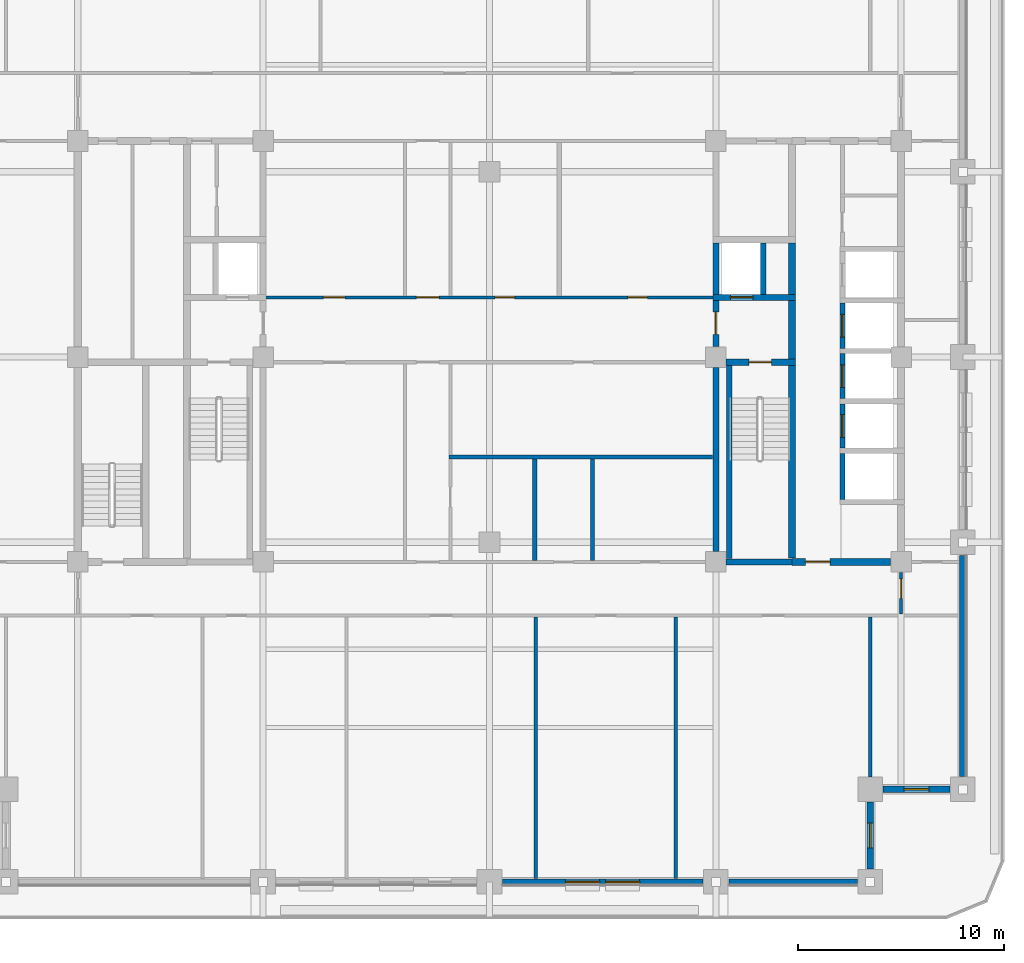
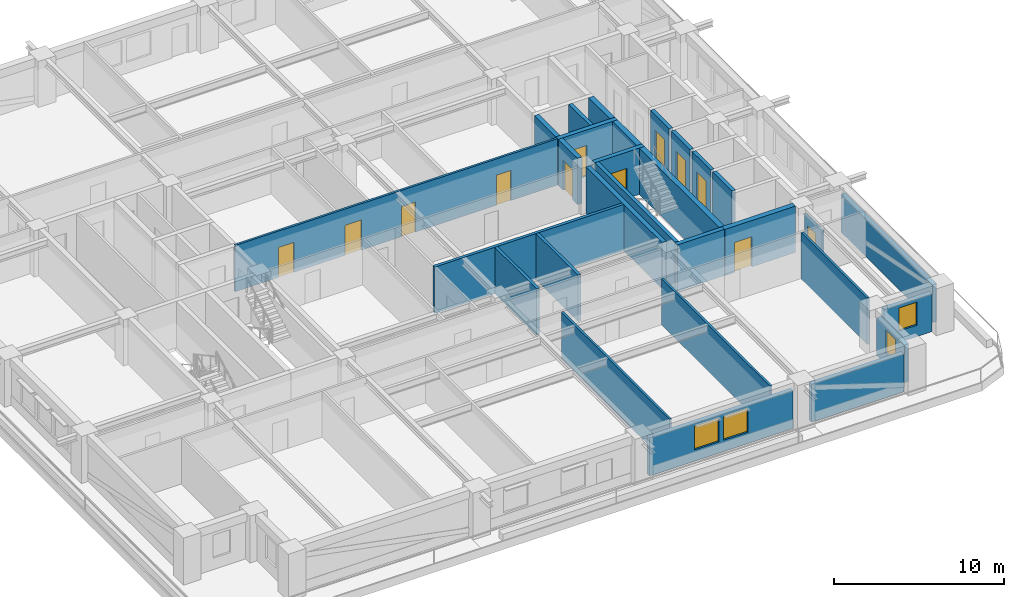
# One storey, part 4 of 16: 29 walls, 12 doors, 4 windows, 16 openings.
"""IFC4 building model written with IfcOpenShell, lengths in metres."""

from ifc_helpers import new_model, si_unit, direction, frame, frame_2d, origin, place, context, subcontext, project, spatial, rectangle, extrude, material, layer, layer_set, type_object, element, fill, save


model = new_model("IFC4")

# Units and contexts
model_context = context("Model", 3, precision=1e-05, world=origin(), true_north=direction((0.0, 1.0)))
body_context = subcontext(model_context, "Body", "Model", "MODEL_VIEW")
ifc_project = project(units=[si_unit("LENGTHUNIT", "METRE"), si_unit("AREAUNIT", "SQUARE_METRE"), si_unit("VOLUMEUNIT", "CUBIC_METRE"), si_unit("PLANEANGLEUNIT", "RADIAN"), si_unit("MASSUNIT", "GRAM", prefix="KILO")], contexts=[model_context])

# Site, building, storey
site_placement = place(None, origin())
site = spatial("IfcSite", under=ifc_project, at=site_placement, CompositionType="ELEMENT")
building_placement = place(site_placement, origin())
building = spatial("IfcBuilding", under=site, at=building_placement, Name="Zulmaris Gate Convention Tower", CompositionType="ELEMENT")
storey_placement = place(building_placement, frame((0.0, 0.0, 124.919921875)))
storey = spatial("IfcBuildingStorey", under=building, at=storey_placement, Name="L31", CompositionType="ELEMENT", Elevation=124.919921875)

# Walls
ifc_material_1 = material(Name="Concrete C50/60", Category="concrete")
ifc_layer_1 = layer(ifc_material_1, 0.25, Name="Concrete C50/60")
ifc_layer_set_1 = layer_set([ifc_layer_1], Name="Concrete C50/60")
wall_type_1 = type_object("IfcWallType", Name="CORE-250", PredefinedType="SOLIDWALL", material=ifc_layer_set_1)
wall_1_placement = place(storey_placement, frame((11.64990234375, -9.798095703125, 0.0), z_axis=(0.0, 0.0, 1.0), x_axis=(0.0, 1.0, 0.0)))
element("IfcWall", 1, at=wall_1_placement, inside=storey, type_object=wall_type_1, Name="WL-L31-051", PredefinedType="SOLIDWALL", context=body_context, shape_type="SweptSolid", body=[
    extrude(rectangle(XDim=9.39599609375, YDim=0.25, at=frame_2d((4.697998046875, 0.0))), origin(), (0.0, 0.0, 1.0), 3.31982421875),
])
wall_2_placement = place(storey_placement, frame((13.300048828125, 3.052001953125, 0.0), z_axis=(0.0, 0.0, 1.0), x_axis=(0.0, 1.0, 0.0)))
element("IfcWall", 2, at=wall_2_placement, inside=storey, type_object=wall_type_1, Name="WL-L31-052", PredefinedType="SOLIDWALL", context=body_context, shape_type="SweptSolid", body=[
    extrude(rectangle(XDim=2.49609375, YDim=0.25, at=frame_2d((1.248046875, 0.0))), origin(), (0.0, 0.0, 1.0), 3.31982421875),
])
wall_3_placement = place(storey_placement, frame((17.14990234375, -6.923095703125, 0.0), z_axis=(0.0, 0.0, 1.0), x_axis=(0.0, 1.0, 0.0)))
element("IfcWall", 3, at=wall_3_placement, inside=storey, type_object=wall_type_1, Name="WL-L31-057", PredefinedType="SOLIDWALL", context=body_context, shape_type="SweptSolid", body=[
    extrude(rectangle(XDim=2.24609375, YDim=0.25, at=frame_2d((1.123046875, 0.0))), origin(), (0.0, 0.0, 1.0), 3.31982421875),
])

# Wall, opening, door
wall_4_placement = place(storey_placement, frame((17.14990234375, -4.423095703125, 0.0), z_axis=(0.0, 0.0, 1.0), x_axis=(0.0, 1.0, 0.0)))
wall_4 = element("IfcWall", 4, at=wall_4_placement, inside=storey, type_object=wall_type_1, Name="WL-L31-058", PredefinedType="SOLIDWALL", context=body_context, shape_type="SweptSolid", body=[
    extrude(rectangle(XDim=2.14599609375, YDim=0.25, at=frame_2d((1.072998046875, 0.0))), origin(), (0.0, 0.0, 1.0), 3.31982421875),
])
opening_1_placement = place(wall_4_placement, frame((0.52294921875, 0.0, 0.0)))
opening_1 = element("IfcOpeningElement", 5, at=opening_1_placement, cuts=wall_4, Name="Opening D-06", PredefinedType="OPENING", context=body_context, shape_type="SweptSolid", body=[
    extrude(rectangle(XDim=1.10009765625, YDim=2.199951171875, at=frame_2d((0.550048828125, 1.10009765625))), frame((0.0, 0.135009765625, 0.0), z_axis=(0.0, -1.0, 0.0), x_axis=(1.0, 0.0, 0.0)), (0.0, 0.0, 1.0), 0.27001953125),
])
ifc_material_2 = material(Name="Brushed Stainless Steel", Category="steel")
door_type_1 = type_object("IfcDoorType", Name="LD-1100", OperationType="NOTDEFINED", PredefinedType="DOOR", material=ifc_material_2)
door_1_placement = place(opening_1_placement, origin())
door_1 = element("IfcDoor", 6, at=door_1_placement, inside=storey, type_object=door_type_1, Name="L31 Lift Landing Door MP-01 13", OperationType="SLIDING_TO_RIGHT", OverallHeight=2.199951171875, OverallWidth=1.10009765625, PredefinedType="DOOR", context=body_context, shape_type="SweptSolid", body=[
    extrude(rectangle(XDim=1.10009765625, YDim=2.199951171875, at=frame_2d((0.550048828125, 1.10009765625))), frame((0.0, 0.02490234375, 0.0), z_axis=(0.0, -1.0, 0.0), x_axis=(1.0, 0.0, 0.0)), (0.0, 0.0, 1.0), 0.050048828125),
])
fill(opening_1, door_1)

wall_5_placement = place(storey_placement, frame((17.14990234375, -2.02294921875, 0.0), z_axis=(0.0, 0.0, 1.0), x_axis=(0.0, 1.0, 0.0)))
wall_5 = element("IfcWall", 7, at=wall_5_placement, inside=storey, type_object=wall_type_1, Name="WL-L31-059", PredefinedType="SOLIDWALL", context=body_context, shape_type="SweptSolid", body=[
    extrude(rectangle(XDim=2.196044921875, YDim=0.25, at=frame_2d((1.09814453125, 0.0))), origin(), (0.0, 0.0, 1.0), 3.31982421875),
])
opening_2_placement = place(wall_5_placement, frame((0.548095703125, 0.0, 0.0)))
opening_2 = element("IfcOpeningElement", 8, at=opening_2_placement, cuts=wall_5, Name="Opening D-06", PredefinedType="OPENING", context=body_context, shape_type="SweptSolid", body=[
    extrude(rectangle(XDim=1.10009765625, YDim=2.199951171875, at=frame_2d((0.550048828125, 1.10009765625))), frame((0.0, 0.135009765625, 0.0), z_axis=(0.0, -1.0, 0.0), x_axis=(1.0, 0.0, 0.0)), (0.0, 0.0, 1.0), 0.27001953125),
])
door_2_placement = place(opening_2_placement, origin())
door_2 = element("IfcDoor", 9, at=door_2_placement, inside=storey, type_object=door_type_1, Name="L31 Lift Landing Door MP-02 14", OperationType="SLIDING_TO_RIGHT", OverallHeight=2.199951171875, OverallWidth=1.10009765625, PredefinedType="DOOR", context=body_context, shape_type="SweptSolid", body=[
    extrude(rectangle(XDim=1.10009765625, YDim=2.199951171875, at=frame_2d((0.550048828125, 1.10009765625))), frame((0.0, 0.02490234375, 0.0), z_axis=(0.0, -1.0, 0.0), x_axis=(1.0, 0.0, 0.0)), (0.0, 0.0, 1.0), 0.050048828125),
])
fill(opening_2, door_2)

wall_6_placement = place(storey_placement, frame((17.14990234375, 0.427001953125, 0.0), z_axis=(0.0, 0.0, 1.0), x_axis=(0.0, 1.0, 0.0)))
wall_6 = element("IfcWall", 10, at=wall_6_placement, inside=storey, type_object=wall_type_1, Name="WL-L31-060", PredefinedType="SOLIDWALL", context=body_context, shape_type="SweptSolid", body=[
    extrude(rectangle(XDim=2.196044921875, YDim=0.25, at=frame_2d((1.09814453125, 0.0))), origin(), (0.0, 0.0, 1.0), 3.31982421875),
])
opening_3_placement = place(wall_6_placement, frame((0.548095703125, 0.0, 0.0)))
opening_3 = element("IfcOpeningElement", 11, at=opening_3_placement, cuts=wall_6, Name="Opening D-06", PredefinedType="OPENING", context=body_context, shape_type="SweptSolid", body=[
    extrude(rectangle(XDim=1.10009765625, YDim=2.199951171875, at=frame_2d((0.550048828125, 1.10009765625))), frame((0.0, 0.135009765625, 0.0), z_axis=(0.0, -1.0, 0.0), x_axis=(1.0, 0.0, 0.0)), (0.0, 0.0, 1.0), 0.27001953125),
])
door_3_placement = place(opening_3_placement, origin())
door_3 = element("IfcDoor", 12, at=door_3_placement, inside=storey, type_object=door_type_1, Name="L31 Lift Landing Door MP-03 15", OperationType="SLIDING_TO_RIGHT", OverallHeight=2.199951171875, OverallWidth=1.10009765625, PredefinedType="DOOR", context=body_context, shape_type="SweptSolid", body=[
    extrude(rectangle(XDim=1.10009765625, YDim=2.199951171875, at=frame_2d((0.550048828125, 1.10009765625))), frame((0.0, 0.02490234375, 0.0), z_axis=(0.0, -1.0, 0.0), x_axis=(1.0, 0.0, 0.0)), (0.0, 0.0, 1.0), 0.050048828125),
])
fill(opening_3, door_3)

# Wall
ifc_layer_2 = layer(ifc_material_1, 0.300048828125, Name="Concrete C50/60")
ifc_layer_set_2 = layer_set([ifc_layer_2], Name="Concrete C50/60")
wall_type_2 = type_object("IfcWallType", Name="CORE-300", PredefinedType="SHEAR", material=ifc_layer_set_2)
wall_7_placement = place(storey_placement, frame((11.50390625, -9.949951171875, 0.0), z_axis=(0.0, 0.0, 1.0), x_axis=(1.0, 0.0, 0.0)))
element("IfcWall", 13, at=wall_7_placement, inside=storey, type_object=wall_type_2, Name="WL-L31-003", PredefinedType="SHEAR", context=body_context, shape_type="SweptSolid", body=[
    extrude(rectangle(XDim=3.196044921875, YDim=0.300048828125, at=frame_2d((1.59814453125, 0.0))), origin(), (0.0, 0.0, 1.0), 3.31982421875),
])

# Wall, opening, door
wall_8_placement = place(storey_placement, frame((11.50390625, -0.25, 0.0), z_axis=(0.0, 0.0, 1.0), x_axis=(1.0, 0.0, 0.0)))
wall_8 = element("IfcWall", 14, at=wall_8_placement, inside=storey, type_object=wall_type_2, Name="WL-L31-009", PredefinedType="SHEAR", context=body_context, shape_type="SweptSolid", body=[
    extrude(rectangle(XDim=3.37109375, YDim=0.300048828125, at=frame_2d((1.685546875, 0.0))), origin(), (0.0, 0.0, 1.0), 3.31982421875),
])
opening_4_placement = place(wall_8_placement, frame((1.095947265625, 0.0, 0.0)))
opening_4 = element("IfcOpeningElement", 15, at=opening_4_placement, cuts=wall_8, Name="Opening D-08", PredefinedType="OPENING", context=body_context, shape_type="SweptSolid", body=[
    extrude(rectangle(XDim=1.10009765625, YDim=2.14990234375, at=frame_2d((0.550048828125, 1.074951171875))), frame((0.0, 0.16015625, 0.0), z_axis=(0.0, -1.0, 0.0), x_axis=(1.0, 0.0, 0.0)), (0.0, 0.0, 1.0), 0.320068359375),
])
ifc_material_3 = material(Name="Fire-Rated Steel", Category="steel")
door_type_2 = type_object("IfcDoorType", Name="DR-1100-FD", OperationType="NOTDEFINED", PredefinedType="DOOR", material=ifc_material_3)
door_4_placement = place(opening_4_placement, origin())
door_4 = element("IfcDoor", 16, at=door_4_placement, inside=storey, type_object=door_type_2, Name="L31 Exit Stair ST-2 Door 04", OperationType="SINGLE_SWING_LEFT", OverallHeight=2.14990234375, OverallWidth=1.10009765625, PredefinedType="DOOR", context=body_context, shape_type="SweptSolid", body=[
    extrude(rectangle(XDim=1.10009765625, YDim=2.14990234375, at=frame_2d((0.550048828125, 1.074951171875))), frame((0.0, 0.02490234375, 0.0), z_axis=(0.0, -1.0, 0.0), x_axis=(1.0, 0.0, 0.0)), (0.0, 0.0, 1.0), 0.050048828125),
])
fill(opening_4, door_4)

wall_9_placement = place(storey_placement, frame((10.85009765625, 2.89990234375, 0.0), z_axis=(0.0, 0.0, 1.0), x_axis=(1.0, 0.0, 0.0)))
wall_9 = element("IfcWall", 17, at=wall_9_placement, inside=storey, type_object=wall_type_2, Name="WL-L31-013", PredefinedType="SHEAR", context=body_context, shape_type="SweptSolid", body=[
    extrude(rectangle(XDim=4.02490234375, YDim=0.300048828125, at=frame_2d((2.012451171875, 0.0))), origin(), (0.0, 0.0, 1.0), 3.31982421875),
])
opening_5_placement = place(wall_9_placement, frame((0.85009765625, 0.0, 0.0)))
opening_5 = element("IfcOpeningElement", 18, at=opening_5_placement, cuts=wall_9, Name="Opening D-06", PredefinedType="OPENING", context=body_context, shape_type="SweptSolid", body=[
    extrude(rectangle(XDim=1.10009765625, YDim=2.199951171875, at=frame_2d((0.550048828125, 1.10009765625))), frame((0.0, 0.16015625, 0.0), z_axis=(0.0, -1.0, 0.0), x_axis=(1.0, 0.0, 0.0)), (0.0, 0.0, 1.0), 0.320068359375),
])
door_5_placement = place(opening_5_placement, origin())
door_5 = element("IfcDoor", 19, at=door_5_placement, inside=storey, type_object=door_type_1, Name="L31 Lift Landing Door LF-02 06", OperationType="SLIDING_TO_RIGHT", OverallHeight=2.199951171875, OverallWidth=1.10009765625, PredefinedType="DOOR", context=body_context, shape_type="SweptSolid", body=[
    extrude(rectangle(XDim=1.10009765625, YDim=2.199951171875, at=frame_2d((0.550048828125, 1.10009765625))), frame((0.0, 0.02490234375, 0.0), z_axis=(0.0, -1.0, 0.0), x_axis=(1.0, 0.0, 0.0)), (0.0, 0.0, 1.0), 0.050048828125),
])
fill(opening_5, door_5)

# Wall
wall_10_placement = place(storey_placement, frame((11.0, -9.446044921875, 0.0), z_axis=(0.0, 0.0, 1.0), x_axis=(0.0, 1.0, 0.0)))
element("IfcWall", 20, at=wall_10_placement, inside=storey, type_object=wall_type_2, Name="WL-L31-047", PredefinedType="SHEAR", context=body_context, shape_type="SweptSolid", body=[
    extrude(rectangle(XDim=8.942138671875, YDim=0.300048828125, at=frame_2d((4.47119140625, 0.0))), origin(), (0.0, 0.0, 1.0), 3.31982421875),
])

# Wall, opening, door
wall_11_placement = place(storey_placement, frame((11.0, 0.50390625, 0.0), z_axis=(0.0, 0.0, 1.0), x_axis=(0.0, 1.0, 0.0)))
wall_11 = element("IfcWall", 21, at=wall_11_placement, inside=storey, type_object=wall_type_2, Name="WL-L31-048", PredefinedType="SHEAR", context=body_context, shape_type="SweptSolid", body=[
    extrude(rectangle(XDim=2.244140625, YDim=0.300048828125, at=frame_2d((1.1220703125, 0.0))), origin(), (0.0, 0.0, 1.0), 3.31982421875),
])
opening_6_placement = place(wall_11_placement, frame((0.595947265625, 0.0, 0.0)))
opening_6 = element("IfcOpeningElement", 22, at=opening_6_placement, cuts=wall_11, Name="Opening D-08", PredefinedType="OPENING", context=body_context, shape_type="SweptSolid", body=[
    extrude(rectangle(XDim=1.10009765625, YDim=2.14990234375, at=frame_2d((0.550048828125, 1.074951171875))), frame((0.0, 0.16015625, 0.0), z_axis=(0.0, -1.0, 0.0), x_axis=(1.0, 0.0, 0.0)), (0.0, 0.0, 1.0), 0.320068359375),
])
door_6_placement = place(opening_6_placement, origin())
door_6 = element("IfcDoor", 23, at=door_6_placement, inside=storey, type_object=door_type_2, Name="L31 East Firefighting Lobby Door 05", OperationType="SINGLE_SWING_RIGHT", OverallHeight=2.14990234375, OverallWidth=1.10009765625, PredefinedType="DOOR", context=body_context, shape_type="SweptSolid", body=[
    extrude(rectangle(XDim=1.10009765625, YDim=2.14990234375, at=frame_2d((0.550048828125, 1.074951171875))), frame((0.0, 0.02490234375, 0.0), z_axis=(0.0, -1.0, 0.0), x_axis=(1.0, 0.0, 0.0)), (0.0, 0.0, 1.0), 0.050048828125),
])
fill(opening_6, door_6)

# Wall
wall_12_placement = place(storey_placement, frame((11.0, 3.052001953125, 0.0), z_axis=(0.0, 0.0, 1.0), x_axis=(0.0, 1.0, 0.0)))
element("IfcWall", 24, at=wall_12_placement, inside=storey, type_object=wall_type_2, Name="WL-L31-049", PredefinedType="SHEAR", context=body_context, shape_type="SweptSolid", body=[
    extrude(rectangle(XDim=2.49609375, YDim=0.300048828125, at=frame_2d((1.248046875, 0.0))), origin(), (0.0, 0.0, 1.0), 3.31982421875),
])

# Wall, opening, door
ifc_material_4 = material(Name="Concrete C55/67", Category="concrete")
ifc_layer_3 = layer(ifc_material_4, 0.35009765625, Name="Concrete C55/67")
ifc_layer_set_3 = layer_set([ifc_layer_3], Name="Concrete C55/67")
wall_type_3 = type_object("IfcWallType", Name="CORE-350", PredefinedType="SHEAR", material=ifc_layer_set_3)
wall_13_placement = place(storey_placement, frame((14.699951171875, -9.949951171875, 0.0), z_axis=(0.0, 0.0, 1.0), x_axis=(1.0, 0.0, 0.0)))
wall_13 = element("IfcWall", 25, at=wall_13_placement, inside=storey, type_object=wall_type_3, Name="WL-L31-004", PredefinedType="SHEAR", context=body_context, shape_type="SweptSolid", body=[
    extrude(rectangle(XDim=4.796142578125, YDim=0.35009765625, at=frame_2d((2.39794921875, 0.0))), origin(), (0.0, 0.0, 1.0), 3.31982421875),
])
opening_7_placement = place(wall_13_placement, frame((0.64990234375, 0.0, 0.0)))
opening_7 = element("IfcOpeningElement", 26, at=opening_7_placement, cuts=wall_13, Name="Opening D-13", PredefinedType="OPENING", context=body_context, shape_type="SweptSolid", body=[
    extrude(rectangle(XDim=1.199951171875, YDim=2.14990234375, at=frame_2d((0.60009765625, 1.074951171875))), frame((0.0, 0.18505859375, 0.0), z_axis=(0.0, -1.0, 0.0), x_axis=(1.0, 0.0, 0.0)), (0.0, 0.0, 1.0), 0.3701171875),
])
door_type_3 = type_object("IfcDoorType", Name="DR-1200-FD", OperationType="NOTDEFINED", PredefinedType="DOOR", material=ifc_material_3)
door_7_placement = place(opening_7_placement, origin())
door_7 = element("IfcDoor", 27, at=door_7_placement, inside=storey, type_object=door_type_3, Name="L31 East Lift Lobby South Door 17", OperationType="SINGLE_SWING_LEFT", OverallHeight=2.14990234375, OverallWidth=1.199951171875, PredefinedType="DOOR", context=body_context, shape_type="SweptSolid", body=[
    extrude(rectangle(XDim=1.199951171875, YDim=2.14990234375, at=frame_2d((0.60009765625, 1.074951171875))), frame((0.0, 0.02490234375, 0.0), z_axis=(0.0, -1.0, 0.0), x_axis=(1.0, 0.0, 0.0)), (0.0, 0.0, 1.0), 0.050048828125),
])
fill(opening_7, door_7)

# Walls
wall_14_placement = place(storey_placement, frame((14.699951171875, -9.77294921875, 0.0), z_axis=(0.0, 0.0, 1.0), x_axis=(0.0, 1.0, 0.0)))
element("IfcWall", 28, at=wall_14_placement, inside=storey, type_object=wall_type_3, Name="WL-L31-053", PredefinedType="SHEAR", context=body_context, shape_type="SweptSolid", body=[
    extrude(rectangle(XDim=9.370849609375, YDim=0.35009765625, at=frame_2d((4.685546875, 0.0))), origin(), (0.0, 0.0, 1.0), 3.31982421875),
])
wall_15_placement = place(storey_placement, frame((14.699951171875, -0.097900390625, 0.0), z_axis=(0.0, 0.0, 1.0), x_axis=(0.0, 1.0, 0.0)))
element("IfcWall", 29, at=wall_15_placement, inside=storey, type_object=wall_type_3, Name="WL-L31-054", PredefinedType="SHEAR", context=body_context, shape_type="SweptSolid", body=[
    extrude(rectangle(XDim=2.845947265625, YDim=0.35009765625, at=frame_2d((1.4228515625, 0.0))), origin(), (0.0, 0.0, 1.0), 3.31982421875),
])
wall_16_placement = place(storey_placement, frame((14.699951171875, 3.052001953125, 0.0), z_axis=(0.0, 0.0, 1.0), x_axis=(0.0, 1.0, 0.0)))
element("IfcWall", 30, at=wall_16_placement, inside=storey, type_object=wall_type_3, Name="WL-L31-055", PredefinedType="SHEAR", context=body_context, shape_type="SweptSolid", body=[
    extrude(rectangle(XDim=2.49609375, YDim=0.35009765625, at=frame_2d((1.248046875, 0.0))), origin(), (0.0, 0.0, 1.0), 3.31982421875),
])

# Wall, openings, doors
ifc_material_5 = material(Name="Gypsum Metal Stud Partition")
ifc_layer_4 = layer(ifc_material_5, 0.14990234375, Name="Gypsum Metal Stud Partition")
ifc_layer_set_4 = layer_set([ifc_layer_4], Name="Gypsum Metal Stud Partition")
wall_type_4 = type_object("IfcWallType", Name="PART-150", PredefinedType="PARTITIONING", material=ifc_layer_set_4)
wall_17_placement = place(storey_placement, frame((-11.0, 2.89990234375, 0.0), z_axis=(0.0, 0.0, 1.0), x_axis=(1.0, 0.0, 0.0)))
wall_17 = element("IfcWall", 31, at=wall_17_placement, inside=storey, type_object=wall_type_4, Name="WL-L31-028", PredefinedType="PARTITIONING", context=body_context, shape_type="SweptSolid", body=[
    extrude(rectangle(XDim=22.0, YDim=0.14990234375, at=frame_2d((11.0, 0.0))), origin(), (0.0, 0.0, 1.0), 3.31982421875),
])
opening_8_placement = place(wall_17_placement, frame((7.449951171875, 0.0, 0.0)))
opening_8 = element("IfcOpeningElement", 32, at=opening_8_placement, cuts=wall_17, Name="Opening D-08", PredefinedType="OPENING", context=body_context, shape_type="SweptSolid", body=[
    extrude(rectangle(XDim=1.10009765625, YDim=2.14990234375, at=frame_2d((0.550048828125, 1.074951171875))), frame((0.0, 0.0849609375, 0.0), z_axis=(0.0, -1.0, 0.0), x_axis=(1.0, 0.0, 0.0)), (0.0, 0.0, 1.0), 0.169921875),
])
opening_9_placement = place(wall_17_placement, frame((2.925048828125, 0.0, 0.0)))
opening_9 = element("IfcOpeningElement", 33, at=opening_9_placement, cuts=wall_17, Name="Opening D-09", PredefinedType="OPENING", context=body_context, shape_type="SweptSolid", body=[
    extrude(rectangle(XDim=1.050048828125, YDim=2.14990234375, at=frame_2d((0.52490234375, 1.074951171875))), frame((0.0, 0.0849609375, 0.0), z_axis=(0.0, -1.0, 0.0), x_axis=(1.0, 0.0, 0.0)), (0.0, 0.0, 1.0), 0.169921875),
])
opening_10_placement = place(wall_17_placement, frame((11.27490234375, 0.0, 0.0)))
opening_10 = element("IfcOpeningElement", 34, at=opening_10_placement, cuts=wall_17, Name="Opening D-11", PredefinedType="OPENING", context=body_context, shape_type="SweptSolid", body=[
    extrude(rectangle(XDim=0.949951171875, YDim=2.14990234375, at=frame_2d((0.47509765625, 1.074951171875))), frame((0.0, 0.0849609375, 0.0), z_axis=(0.0, -1.0, 0.0), x_axis=(1.0, 0.0, 0.0)), (0.0, 0.0, 1.0), 0.169921875),
])
opening_11_placement = place(wall_17_placement, frame((17.72509765625, 0.0, 0.0)))
opening_11 = element("IfcOpeningElement", 35, at=opening_11_placement, cuts=wall_17, Name="Opening D-11", PredefinedType="OPENING", context=body_context, shape_type="SweptSolid", body=[
    extrude(rectangle(XDim=0.949951171875, YDim=2.14990234375, at=frame_2d((0.47509765625, 1.074951171875))), frame((0.0, 0.0849609375, 0.0), z_axis=(0.0, -1.0, 0.0), x_axis=(1.0, 0.0, 0.0)), (0.0, 0.0, 1.0), 0.169921875),
])
door_type_4 = type_object("IfcDoorType", Name="DR-1050-FD", OperationType="NOTDEFINED", PredefinedType="DOOR", material=ifc_material_3)
door_8_placement = place(opening_9_placement, origin())
door_8 = element("IfcDoor", 36, at=door_8_placement, inside=storey, type_object=door_type_4, Name="L31 Reception Door 33", OperationType="SINGLE_SWING_LEFT", OverallHeight=2.14990234375, OverallWidth=1.050048828125, PredefinedType="DOOR", context=body_context, shape_type="SweptSolid", body=[
    extrude(rectangle(XDim=1.050048828125, YDim=2.14990234375, at=frame_2d((0.52490234375, 1.074951171875))), frame((0.0, 0.02490234375, 0.0), z_axis=(0.0, -1.0, 0.0), x_axis=(1.0, 0.0, 0.0)), (0.0, 0.0, 1.0), 0.050048828125),
])
fill(opening_9, door_8)
door_9_placement = place(opening_8_placement, origin())
door_9 = element("IfcDoor", 37, at=door_9_placement, inside=storey, type_object=door_type_2, Name="L31 Cross Spine North Door 23", OperationType="SINGLE_SWING_LEFT", OverallHeight=2.14990234375, OverallWidth=1.10009765625, PredefinedType="DOOR", context=body_context, shape_type="SweptSolid", body=[
    extrude(rectangle(XDim=1.10009765625, YDim=2.14990234375, at=frame_2d((0.550048828125, 1.074951171875))), frame((0.0, 0.02490234375, 0.0), z_axis=(0.0, -1.0, 0.0), x_axis=(1.0, 0.0, 0.0)), (0.0, 0.0, 1.0), 0.050048828125),
])
fill(opening_8, door_9)
ifc_material_6 = material(Name="Fire-Rated Timber", Category="wood")
door_type_5 = type_object("IfcDoorType", Name="DR-950-FD", OperationType="NOTDEFINED", PredefinedType="DOOR", material=ifc_material_6)
door_10_placement = place(opening_10_placement, origin())
door_10 = element("IfcDoor", 38, at=door_10_placement, inside=storey, type_object=door_type_5, Name="L31 Briefing Door 34", OperationType="SINGLE_SWING_RIGHT", OverallHeight=2.14990234375, OverallWidth=0.949951171875, PredefinedType="DOOR", context=body_context, shape_type="SweptSolid", body=[
    extrude(rectangle(XDim=0.949951171875, YDim=2.14990234375, at=frame_2d((0.47509765625, 1.074951171875))), frame((0.0, 0.02490234375, 0.0), z_axis=(0.0, -1.0, 0.0), x_axis=(1.0, 0.0, 0.0)), (0.0, 0.0, 1.0), 0.050048828125),
])
fill(opening_10, door_10)
door_11_placement = place(opening_11_placement, origin())
door_11 = element("IfcDoor", 39, at=door_11_placement, inside=storey, type_object=door_type_5, Name="L31 Dining Pantry Door 35", OperationType="SINGLE_SWING_LEFT", OverallHeight=2.14990234375, OverallWidth=0.949951171875, PredefinedType="DOOR", context=body_context, shape_type="SweptSolid", body=[
    extrude(rectangle(XDim=0.949951171875, YDim=2.14990234375, at=frame_2d((0.47509765625, 1.074951171875))), frame((0.0, 0.02490234375, 0.0), z_axis=(0.0, -1.0, 0.0), x_axis=(1.0, 0.0, 0.0)), (0.0, 0.0, 1.0), 0.050048828125),
])
fill(opening_11, door_11)

# Walls
for number, where, z_axis, x_axis, name in (
    (40, (2.25, -25.3349609375, 0.0), (0.0, 0.0, 1.0), (0.0, 1.0, 0.0), "WL-L31-084"),
    (41, (9.050048828125, -25.3349609375, 0.0), (0.0, 0.0, 1.0), (0.0, 1.0, 0.0), "WL-L31-088"),
):
    element("IfcWall", number, at=place(storey_placement, frame(where, z_axis=z_axis, x_axis=x_axis)), inside=storey, type_object=wall_type_4, Name=name, PredefinedType="PARTITIONING", context=body_context, shape_type="SweptSolid", body=[
        extrude(rectangle(XDim=12.70703125, YDim=0.14990234375, at=frame_2d((6.353515625, 0.0))), origin(), (0.0, 0.0, 1.0), 3.31982421875),
    ])
wall_18_placement = place(storey_placement, frame((18.5, -20.39404296875, 0.0), z_axis=(0.0, 0.0, 1.0), x_axis=(0.0, 1.0, 0.0)))
element("IfcWall", 42, at=wall_18_placement, inside=storey, type_object=wall_type_4, Name="WL-L31-091", PredefinedType="PARTITIONING", context=body_context, shape_type="SweptSolid", body=[
    extrude(rectangle(XDim=7.76611328125, YDim=0.14990234375, at=frame_2d((3.883056640625, 0.0))), origin(), (0.0, 0.0, 1.0), 3.31982421875),
])

# Wall, opening, door
wall_19_placement = place(storey_placement, frame((20.0, -12.471923828125, 0.0), z_axis=(0.0, 0.0, 1.0), x_axis=(0.0, 1.0, 0.0)))
wall_19 = element("IfcWall", 43, at=wall_19_placement, inside=storey, type_object=wall_type_4, Name="WL-L31-093", PredefinedType="PARTITIONING", context=body_context, shape_type="SweptSolid", body=[
    extrude(rectangle(XDim=2.015869140625, YDim=0.14990234375, at=frame_2d((1.0078125, 0.0))), origin(), (0.0, 0.0, 1.0), 2.809814453125),
])
opening_12_placement = place(wall_19_placement, frame((0.7470703125, 0.0, 0.0)))
opening_12 = element("IfcOpeningElement", 44, at=opening_12_placement, cuts=wall_19, Name="Opening D-11", PredefinedType="OPENING", context=body_context, shape_type="SweptSolid", body=[
    extrude(rectangle(XDim=0.949951171875, YDim=2.14990234375, at=frame_2d((0.47509765625, 1.074951171875))), frame((0.0, 0.0849609375, 0.0), z_axis=(0.0, -1.0, 0.0), x_axis=(1.0, 0.0, 0.0)), (0.0, 0.0, 1.0), 0.169921875),
])
door_12_placement = place(opening_12_placement, origin())
door_12 = element("IfcDoor", 45, at=door_12_placement, inside=storey, type_object=door_type_5, Name="L31 SE Spur Door 46", OperationType="SINGLE_SWING_RIGHT", OverallHeight=2.14990234375, OverallWidth=0.949951171875, PredefinedType="DOOR", context=body_context, shape_type="SweptSolid", body=[
    extrude(rectangle(XDim=0.949951171875, YDim=2.14990234375, at=frame_2d((0.47509765625, 1.074951171875))), frame((0.0, 0.02490234375, 0.0), z_axis=(0.0, -1.0, 0.0), x_axis=(1.0, 0.0, 0.0)), (0.0, 0.0, 1.0), 0.050048828125),
])
fill(opening_12, door_12)

# Walls
ifc_material_7 = material(Name="Autoclaved Aerated Concrete Block and Plasterboard", Category="concrete")
ifc_layer_5 = layer(ifc_material_7, 0.199951171875, Name="Autoclaved Aerated Concrete Block and Plasterboard")
ifc_layer_set_5 = layer_set([ifc_layer_5], Name="Autoclaved Aerated Concrete Block and Plasterboard")
wall_type_5 = type_object("IfcWallType", Name="PART-200", PredefinedType="PARTITIONING", material=ifc_layer_set_5)
wall_20_placement = place(storey_placement, frame((-1.97509765625, -4.85009765625, 0.0), z_axis=(0.0, 0.0, 1.0), x_axis=(1.0, 0.0, 0.0)))
element("IfcWall", 46, at=wall_20_placement, inside=storey, type_object=wall_type_5, Name="WL-L31-025", PredefinedType="PARTITIONING", context=body_context, shape_type="SweptSolid", body=[
    extrude(rectangle(XDim=12.822021484375, YDim=0.199951171875, at=frame_2d((6.4111328125, 0.0))), origin(), (0.0, 0.0, 1.0), 3.31982421875),
])
for number, where, z_axis, x_axis, name in (
    (47, (2.199951171875, -9.8720703125, 0.0), (0.0, 0.0, 1.0), (0.0, 1.0, 0.0), "WL-L31-083"),
    (48, (5.0, -9.8720703125, 0.0), (0.0, 0.0, 1.0), (0.0, 1.0, 0.0), "WL-L31-087"),
):
    element("IfcWall", number, at=place(storey_placement, frame(where, z_axis=z_axis, x_axis=x_axis)), inside=storey, type_object=wall_type_5, Name=name, PredefinedType="PARTITIONING", context=body_context, shape_type="SweptSolid", body=[
        extrude(rectangle(XDim=4.919189453125, YDim=0.199951171875, at=frame_2d((2.45947265625, 0.0))), origin(), (0.0, 0.0, 1.0), 3.31982421875),
    ])

# Wall, opening, window
ifc_material_8 = material(Name="Precast concrete C40/50", Category="concrete")
ifc_layer_6 = layer(ifc_material_8, 0.300048828125, Name="Precast concrete C40/50")
ifc_layer_set_6 = layer_set([ifc_layer_6], Name="Precast concrete C40/50")
wall_type_6 = type_object("IfcWallType", Name="PRECAST-PIER-300", PredefinedType="STANDARD", material=ifc_layer_set_6)
wall_21_placement = place(storey_placement, frame((18.5, -24.8701171875, 0.0), z_axis=(0.0, 0.0, 1.0), x_axis=(0.0, 1.0, 0.0)))
wall_21 = element("IfcWall", 49, at=wall_21_placement, inside=storey, type_object=wall_type_6, Name="EW-L31-NOTCH-SE1_0", PredefinedType="STANDARD", context=body_context, shape_type="SweptSolid", body=[
    extrude(rectangle(XDim=3.240234375, YDim=0.300048828125, at=frame_2d((1.6201171875, 0.0))), origin(), (0.0, 0.0, 1.0), 2.711669921875),
])
opening_13_placement = place(wall_21_placement, frame((1.02001953125, 0.0, 0.820068359375)))
opening_13 = element("IfcOpeningElement", 50, at=opening_13_placement, cuts=wall_21, Name="Opening W-04", PredefinedType="OPENING", context=body_context, shape_type="SweptSolid", body=[
    extrude(rectangle(XDim=1.199951171875, YDim=1.64990234375, at=frame_2d((0.60009765625, 0.824951171875))), frame((0.0, 0.16015625, 0.0), z_axis=(0.0, -1.0, 0.0), x_axis=(1.0, 0.0, 0.0)), (0.0, 0.0, 1.0), 0.320068359375),
])
ifc_material_9 = material(Name="Low-E Laminated Double Glazing in Aluminium Frame", Category="aluminium")
window_type_1 = type_object("IfcWindowType", Name="WIN-1200x2100", PartitioningType="SINGLE_PANEL", PredefinedType="WINDOW", material=ifc_material_9)
window_1_placement = place(opening_13_placement, origin())
window_1 = element("IfcWindow", 51, at=window_1_placement, inside=storey, type_object=window_type_1, Name="WN-EW-L31-NOTCH-SE1_0", OverallHeight=1.64990234375, OverallWidth=1.199951171875, PartitioningType="SINGLE_PANEL", PredefinedType="WINDOW", context=body_context, shape_type="SweptSolid", body=[
    extrude(rectangle(XDim=1.199951171875, YDim=1.64990234375, at=frame_2d((0.60009765625, 0.824951171875))), frame((0.0, 0.030029296875, 0.0), z_axis=(0.0, -1.0, 0.0), x_axis=(1.0, 0.0, 0.0)), (0.0, 0.0, 1.0), 0.06005859375),
])
fill(opening_13, window_1)

wall_22_placement = place(storey_placement, frame((19.1298828125, -21.0, 0.0), z_axis=(0.0, 0.0, 1.0), x_axis=(1.0, 0.0, 0.0)))
wall_22 = element("IfcWall", 52, at=wall_22_placement, inside=storey, type_object=wall_type_6, Name="EW-L31-NOTCH-SE2_0", PredefinedType="STANDARD", context=body_context, shape_type="SweptSolid", body=[
    extrude(rectangle(XDim=3.240234375, YDim=0.300048828125, at=frame_2d((1.6201171875, 0.0))), origin(), (0.0, 0.0, 1.0), 2.711669921875),
])
opening_14_placement = place(wall_22_placement, frame((1.02001953125, 0.0, 0.820068359375)))
opening_14 = element("IfcOpeningElement", 53, at=opening_14_placement, cuts=wall_22, Name="Opening W-04", PredefinedType="OPENING", context=body_context, shape_type="SweptSolid", body=[
    extrude(rectangle(XDim=1.199951171875, YDim=1.64990234375, at=frame_2d((0.60009765625, 0.824951171875))), frame((0.0, 0.16015625, 0.0), z_axis=(0.0, -1.0, 0.0), x_axis=(1.0, 0.0, 0.0)), (0.0, 0.0, 1.0), 0.320068359375),
])
window_2_placement = place(opening_14_placement, origin())
window_2 = element("IfcWindow", 54, at=window_2_placement, inside=storey, type_object=window_type_1, Name="WN-EW-L31-NOTCH-SE2_0", OverallHeight=1.64990234375, OverallWidth=1.199951171875, PartitioningType="SINGLE_PANEL", PredefinedType="WINDOW", context=body_context, shape_type="SweptSolid", body=[
    extrude(rectangle(XDim=1.199951171875, YDim=1.64990234375, at=frame_2d((0.60009765625, 0.824951171875))), frame((0.0, 0.030029296875, 0.0), z_axis=(0.0, -1.0, 0.0), x_axis=(1.0, 0.0, 0.0)), (0.0, 0.0, 1.0), 0.06005859375),
])
fill(opening_14, window_2)

# Wall, openings, windows
wall_23_placement = place(storey_placement, frame((0.6298828125, -25.5, 0.0), z_axis=(0.0, 0.0, 1.0), x_axis=(1.0, 0.0, 0.0)))
wall_23 = element("IfcWall", 55, at=wall_23_placement, inside=storey, type_object=wall_type_6, Name="EW-L31-S-2_0", PredefinedType="STANDARD", context=body_context, shape_type="SweptSolid", body=[
    extrude(rectangle(XDim=9.740234375, YDim=0.300048828125, at=frame_2d((4.8701171875, 0.0))), origin(), (0.0, 0.0, 1.0), 2.711669921875),
])
opening_15_placement = place(wall_23_placement, frame((3.071044921875, 0.0, 0.800048828125)))
opening_15 = element("IfcOpeningElement", 56, at=opening_15_placement, cuts=wall_23, Name="Opening W-08", PredefinedType="OPENING", context=body_context, shape_type="SweptSolid", body=[
    extrude(rectangle(XDim=1.64990234375, YDim=1.699951171875, at=frame_2d((0.824951171875, 0.85009765625))), frame((0.0, 0.16015625, 0.0), z_axis=(0.0, -1.0, 0.0), x_axis=(1.0, 0.0, 0.0)), (0.0, 0.0, 1.0), 0.320068359375),
])
opening_16_placement = place(wall_23_placement, frame((5.01904296875, 0.0, 0.800048828125)))
opening_16 = element("IfcOpeningElement", 57, at=opening_16_placement, cuts=wall_23, Name="Opening W-08", PredefinedType="OPENING", context=body_context, shape_type="SweptSolid", body=[
    extrude(rectangle(XDim=1.64990234375, YDim=1.699951171875, at=frame_2d((0.824951171875, 0.85009765625))), frame((0.0, 0.16015625, 0.0), z_axis=(0.0, -1.0, 0.0), x_axis=(1.0, 0.0, 0.0)), (0.0, 0.0, 1.0), 0.320068359375),
])
window_type_2 = type_object("IfcWindowType", Name="WIN-1650x2150", PartitioningType="SINGLE_PANEL", PredefinedType="WINDOW", material=ifc_material_9)
window_3_placement = place(opening_15_placement, origin())
window_3 = element("IfcWindow", 58, at=window_3_placement, inside=storey, type_object=window_type_2, Name="WN-EW-L31-S-2_0-2", OverallHeight=1.699951171875, OverallWidth=1.64990234375, PartitioningType="SINGLE_PANEL", PredefinedType="WINDOW", context=body_context, shape_type="SweptSolid", body=[
    extrude(rectangle(XDim=1.64990234375, YDim=1.699951171875, at=frame_2d((0.824951171875, 0.85009765625))), frame((0.0, 0.030029296875, 0.0), z_axis=(0.0, -1.0, 0.0), x_axis=(1.0, 0.0, 0.0)), (0.0, 0.0, 1.0), 0.06005859375),
])
fill(opening_15, window_3)
window_4_placement = place(opening_16_placement, origin())
window_4 = element("IfcWindow", 59, at=window_4_placement, inside=storey, type_object=window_type_2, Name="WN-EW-L31-S-2_0-3", OverallHeight=1.699951171875, OverallWidth=1.64990234375, PartitioningType="SINGLE_PANEL", PredefinedType="WINDOW", context=body_context, shape_type="SweptSolid", body=[
    extrude(rectangle(XDim=1.64990234375, YDim=1.699951171875, at=frame_2d((0.824951171875, 0.85009765625))), frame((0.0, 0.030029296875, 0.0), z_axis=(0.0, -1.0, 0.0), x_axis=(1.0, 0.0, 0.0)), (0.0, 0.0, 1.0), 0.06005859375),
])
fill(opening_16, window_4)

# Walls
wall_24_placement = place(storey_placement, frame((11.6298828125, -25.5, 0.0), z_axis=(0.0, 0.0, 1.0), x_axis=(1.0, 0.0, 0.0)))
element("IfcWall", 60, at=wall_24_placement, inside=storey, type_object=wall_type_6, Name="EW-L31-S-3_0", PredefinedType="STANDARD", context=body_context, shape_type="SweptSolid", body=[
    extrude(rectangle(XDim=6.240234375, YDim=0.300048828125, at=frame_2d((3.1201171875, 0.0))), origin(), (0.0, 0.0, 1.0), 2.711669921875),
])
wall_25_placement = place(storey_placement, frame((23.0, -20.3701171875, 0.0), z_axis=(0.0, 0.0, 1.0), x_axis=(0.0, 1.0, 0.0)))
element("IfcWall", 61, at=wall_25_placement, inside=storey, type_object=wall_type_6, Name="EW-L31-E-0_0", PredefinedType="STANDARD", context=body_context, shape_type="SweptSolid", body=[
    extrude(rectangle(XDim=10.740234375, YDim=0.300048828125, at=frame_2d((5.3701171875, 0.0))), origin(), (0.0, 0.0, 1.0), 2.711669921875),
])

save(model, "model.ifc")
